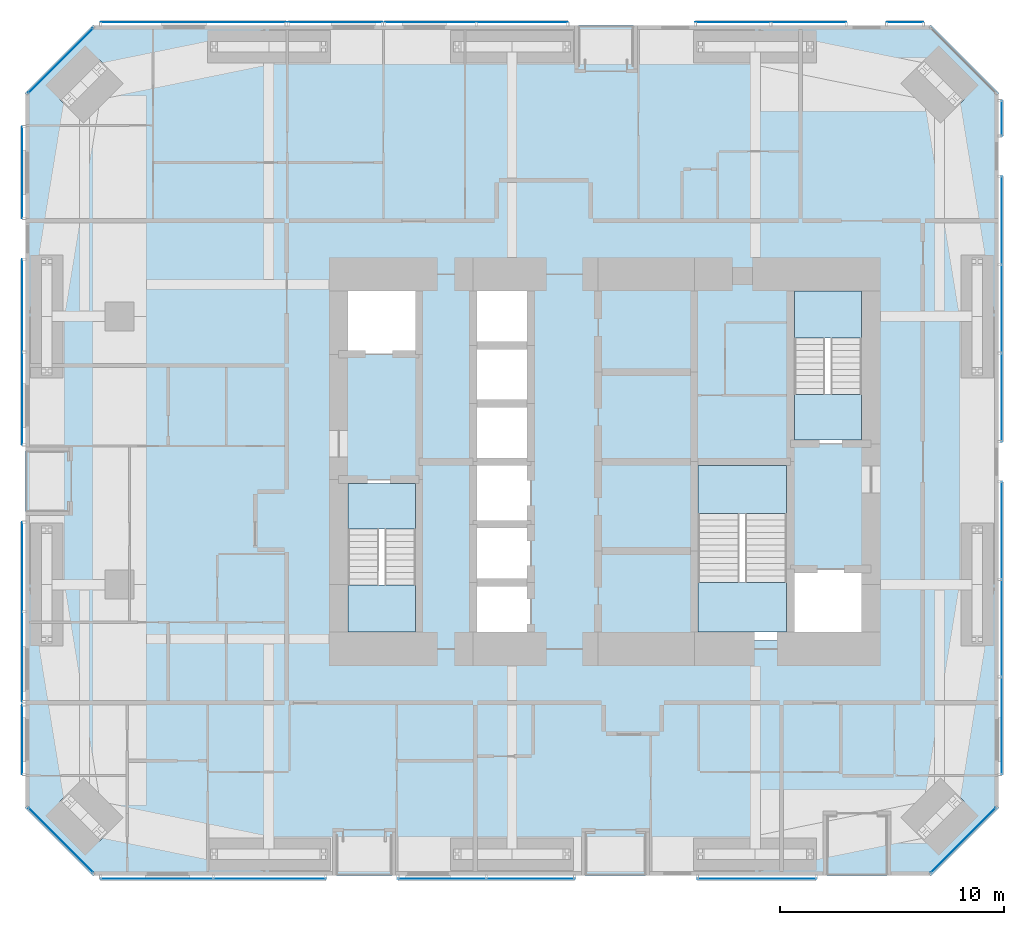
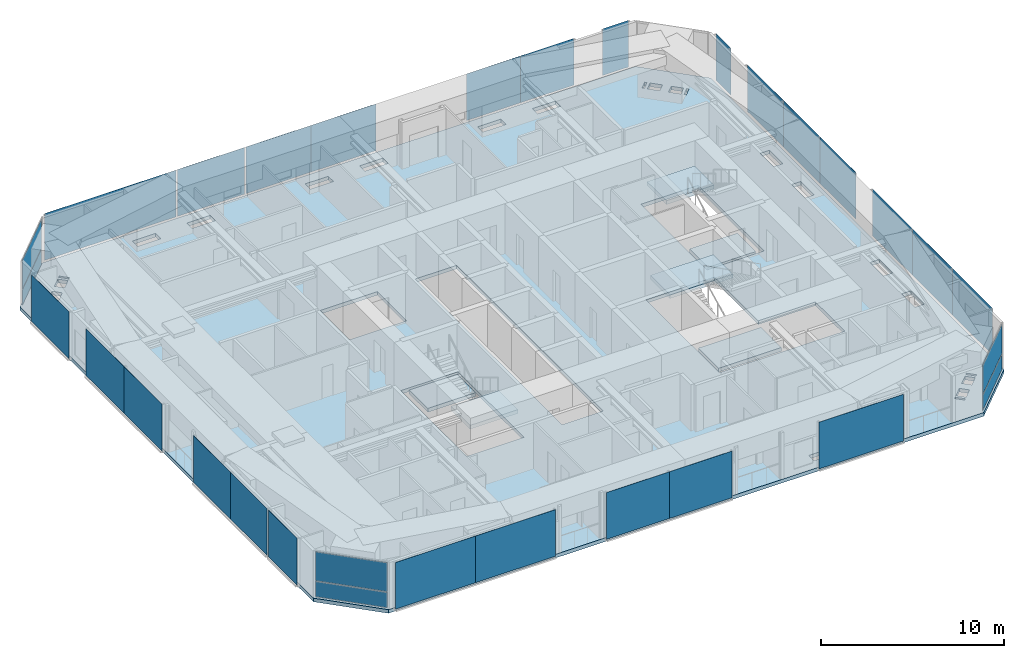
# One storey, part 15 of 23: 31 plates, 7 slabs, 21 elements without a shape of their own.
"""IFC4 building model written with IfcOpenShell, lengths in metres."""

from ifc_helpers import new_model, si_unit, direction, frame, origin, origin_2d, place, context, subcontext, project, spatial, polyline, rectangle, outline, extrude, material, layer, layer_set, type_object, element, aggregate, save


model = new_model("IFC4")

# Units and contexts
model_context = context("Model", 3, precision=1e-05, world=origin(), true_north=direction((0.0, 1.0)))
body_context = subcontext(model_context, "Body", "Model", "MODEL_VIEW")
ifc_project = project(units=[si_unit("LENGTHUNIT", "METRE"), si_unit("AREAUNIT", "SQUARE_METRE"), si_unit("VOLUMEUNIT", "CUBIC_METRE"), si_unit("PLANEANGLEUNIT", "RADIAN"), si_unit("MASSUNIT", "GRAM", prefix="KILO")], contexts=[model_context])

# Site, building, storey
site_placement = place(None, origin())
site = spatial("IfcSite", under=ifc_project, at=site_placement, CompositionType="ELEMENT")
building_placement = place(site_placement, origin())
building = spatial("IfcBuilding", under=site, at=building_placement, Name="Jalousie Tower", CompositionType="ELEMENT")
storey_placement = place(building_placement, frame((0.0, 0.0, 111.550048828125)))
storey = spatial("IfcBuildingStorey", under=building, at=storey_placement, Name="L30", CompositionType="ELEMENT", Elevation=111.550048828125)

# Curtain wall, plates
ifc_material_1 = material(Name="Aluminium curtain wall", Category="aluminium")
curtain_wall_type_1 = type_object("IfcCurtainWallType", Name="CORNER WINDOW WALL", PredefinedType="USERDEFINED", material=ifc_material_1)
curtain_wall_1_placement = place(storey_placement, origin())
curtain_wall_1 = element("IfcCurtainWall", 1, at=curtain_wall_1_placement, inside=storey, type_object=curtain_wall_type_1, Name="Corner Window Wall L30 2", ObjectType="CORNER WINDOW WALL", PredefinedType="USERDEFINED")
ifc_material_2 = material(Name="Laminated impact-rated spandrel glass", Category="glass")
ifc_layer_1 = layer(ifc_material_2, 0.028076171875)
ifc_layer_set_1 = layer_set([ifc_layer_1], Name="Laminated impact-rated spandrel glass")
plate_type_1 = type_object("IfcPlateType", Name="CORNER WINDOW WALL PANEL", PredefinedType="CURTAIN_PANEL", material=ifc_layer_set_1)
plate_1_placement = place(storey_placement, frame((47.9306640625, 1.5693359375, 0.06005859375), z_axis=(0.0, 0.0, 1.0), x_axis=(0.707106781187, 0.707106781187, 0.0)))
plate_1 = element("IfcPlate", 2, at=plate_1_placement, type_object=plate_type_1, Name="CW-C panel 1.1", PredefinedType="CURTAIN_PANEL", context=body_context, shape_type="SweptSolid", body=[
    extrude(rectangle(XDim=4.071533203125, YDim=0.028076171875, at=origin_2d()), origin(), (0.0, 0.0, 1.0), 1.010009765625),
])
plate_2_placement = place(storey_placement, frame((47.9306640625, 1.5693359375, 1.1298828125), z_axis=(0.0, 0.0, 1.0), x_axis=(0.707106781187, 0.707106781187, 0.0)))
plate_2 = element("IfcPlate", 3, at=plate_2_placement, type_object=plate_type_1, Name="CW-C panel 1.2", PredefinedType="CURTAIN_PANEL", context=body_context, shape_type="SweptSolid", body=[
    extrude(rectangle(XDim=4.071533203125, YDim=0.028076171875, at=origin_2d()), origin(), (0.0, 0.0, 1.0), 1.919921875),
])
aggregate(curtain_wall_1, [plate_1, plate_2])

curtain_wall_2_placement = place(storey_placement, origin())
curtain_wall_2 = element("IfcCurtainWall", 4, at=curtain_wall_2_placement, inside=storey, type_object=curtain_wall_type_1, Name="Corner Window Wall L30 6", ObjectType="CORNER WINDOW WALL", PredefinedType="USERDEFINED")
plate_3_placement = place(storey_placement, frame((7.5693359375, 36.4306640625, 0.06005859375), z_axis=(0.0, 0.0, 1.0), x_axis=(-0.707106781187, -0.707106781187, 0.0)))
plate_3 = element("IfcPlate", 5, at=plate_3_placement, type_object=plate_type_1, Name="CW-C panel 1.1", PredefinedType="CURTAIN_PANEL", context=body_context, shape_type="SweptSolid", body=[
    extrude(rectangle(XDim=4.071533203125, YDim=0.028076171875, at=origin_2d()), origin(), (0.0, 0.0, 1.0), 1.010009765625),
])
plate_4_placement = place(storey_placement, frame((7.5693359375, 36.4306640625, 1.1298828125), z_axis=(0.0, 0.0, 1.0), x_axis=(-0.707106781187, -0.707106781187, 0.0)))
plate_4 = element("IfcPlate", 6, at=plate_4_placement, type_object=plate_type_1, Name="CW-C panel 1.2", PredefinedType="CURTAIN_PANEL", context=body_context, shape_type="SweptSolid", body=[
    extrude(rectangle(XDim=4.071533203125, YDim=0.028076171875, at=origin_2d()), origin(), (0.0, 0.0, 1.0), 1.919921875),
])
aggregate(curtain_wall_2, [plate_3, plate_4])

curtain_wall_3_placement = place(storey_placement, origin())
curtain_wall_3 = element("IfcCurtainWall", 7, at=curtain_wall_3_placement, inside=storey, type_object=curtain_wall_type_1, Name="Corner Window Wall L30 8", ObjectType="CORNER WINDOW WALL", PredefinedType="USERDEFINED")
plate_5_placement = place(storey_placement, frame((7.5693359375, 1.5693359375, 0.06005859375), z_axis=(0.0, 0.0, 1.0), x_axis=(0.707106781187, -0.707106781187, 0.0)))
plate_5 = element("IfcPlate", 8, at=plate_5_placement, type_object=plate_type_1, Name="CW-C panel 1.1", PredefinedType="CURTAIN_PANEL", context=body_context, shape_type="SweptSolid", body=[
    extrude(rectangle(XDim=4.071533203125, YDim=0.028076171875, at=origin_2d()), origin(), (0.0, 0.0, 1.0), 1.010009765625),
])
plate_6_placement = place(storey_placement, frame((7.5693359375, 1.5693359375, 1.1298828125), z_axis=(0.0, 0.0, 1.0), x_axis=(0.707106781187, -0.707106781187, 0.0)))
plate_6 = element("IfcPlate", 9, at=plate_6_placement, type_object=plate_type_1, Name="CW-C panel 1.2", PredefinedType="CURTAIN_PANEL", context=body_context, shape_type="SweptSolid", body=[
    extrude(rectangle(XDim=4.071533203125, YDim=0.028076171875, at=origin_2d()), origin(), (0.0, 0.0, 1.0), 1.919921875),
])
aggregate(curtain_wall_3, [plate_5, plate_6])

# Slab
ifc_material_3 = material(Name="Concrete f'c 40 MPa", Category="concrete")
ifc_layer_2 = layer(ifc_material_3, 0.239990234375)
ifc_layer_set_2 = layer_set([ifc_layer_2], Name="Concrete f'c 40 MPa")
slab_type_1 = type_object("IfcSlabType", Name="FLOOR SLAB 240", PredefinedType="FLOOR", material=ifc_layer_set_2)
slab_1_placement = place(storey_placement, frame((0.0, 0.0, -0.239990234375)))
element("IfcSlab", 10, at=slab_1_placement, inside=storey, type_object=slab_type_1, Name="L30 floor slab", PredefinedType="FLOOR", context=body_context, shape_type="SweptSolid", body=[
    extrude(outline(polyline([(9.0, 0.0), (46.5, 0.0), (49.5, 3.0), (49.5, 35.0), (46.5, 38.0), (9.0, 38.0), (6.0, 35.0), (6.0, 3.0), (9.0, 0.0)]), holes=[polyline([(14.425048828125, 1.236083984375), (14.484619140625, 1.236083984375), (15.888916015625, 1.236083984375), (15.888916015625, 0.663818359375), (14.484619140625, 0.663818359375), (14.425048828125, 0.663818359375), (14.425048828125, 1.236083984375)]), polyline([(17.861083984375, 1.236083984375), (19.265380859375, 1.236083984375), (19.324951171875, 1.236083984375), (19.324951171875, 0.663818359375), (19.265380859375, 0.663818359375), (17.861083984375, 0.663818359375), (17.861083984375, 1.236083984375)]), polyline([(9.220947265625, 1.636962890625), (9.625732421875, 2.041748046875), (9.717529296875, 1.949951171875), (9.31298828125, 1.545166015625), (9.220947265625, 1.636962890625)]), polyline([(9.505615234375, 2.162109375), (9.1005859375, 1.75732421875), (8.604736328125, 2.25341796875), (9.009521484375, 2.658203125), (9.505615234375, 2.162109375)]), polyline([(7.75732421875, 3.1005859375), (8.162109375, 3.505615234375), (8.658203125, 3.009521484375), (8.25341796875, 2.604736328125), (7.75732421875, 3.1005859375)]), polyline([(8.041748046875, 3.625732421875), (7.636962890625, 3.220947265625), (7.545166015625, 3.31298828125), (7.949951171875, 3.717529296875), (8.041748046875, 3.625732421875)]), polyline([(7.236083984375, 10.550048828125), (6.663818359375, 10.550048828125), (6.663818359375, 10.609619140625), (6.663818359375, 12.013916015625), (7.236083984375, 12.013916015625), (7.236083984375, 10.609619140625), (7.236083984375, 10.550048828125)]), polyline([(7.236083984375, 15.390380859375), (7.236083984375, 13.986083984375), (6.663818359375, 13.986083984375), (6.663818359375, 15.390380859375), (6.663818359375, 15.449951171875), (7.236083984375, 15.449951171875), (7.236083984375, 15.390380859375)]), polyline([(6.663818359375, 24.013916015625), (7.236083984375, 24.013916015625), (7.236083984375, 22.609619140625), (7.236083984375, 22.550048828125), (6.663818359375, 22.550048828125), (6.663818359375, 22.609619140625), (6.663818359375, 24.013916015625)]), polyline([(7.236083984375, 25.986083984375), (6.663818359375, 25.986083984375), (6.663818359375, 27.390380859375), (6.663818359375, 27.449951171875), (7.236083984375, 27.449951171875), (7.236083984375, 27.390380859375), (7.236083984375, 25.986083984375)]), polyline([(7.636962890625, 34.779052734375), (8.041748046875, 34.374267578125), (7.949951171875, 34.282470703125), (7.545166015625, 34.68701171875), (7.636962890625, 34.779052734375)]), polyline([(8.658203125, 34.990478515625), (8.162109375, 34.494384765625), (7.75732421875, 34.8994140625), (8.25341796875, 35.395263671875), (8.658203125, 34.990478515625)]), polyline([(9.1005859375, 36.24267578125), (9.505615234375, 35.837890625), (9.009521484375, 35.341796875), (8.604736328125, 35.74658203125), (9.1005859375, 36.24267578125)]), polyline([(9.625732421875, 35.958251953125), (9.220947265625, 36.363037109375), (9.31298828125, 36.454833984375), (9.717529296875, 36.050048828125), (9.625732421875, 35.958251953125)]), polyline([(14.425048828125, 36.763916015625), (14.425048828125, 37.336181640625), (14.484619140625, 37.336181640625), (15.888916015625, 37.336181640625), (15.888916015625, 36.763916015625), (14.484619140625, 36.763916015625), (14.425048828125, 36.763916015625)]), polyline([(19.324951171875, 37.336181640625), (19.324951171875, 36.763916015625), (19.265380859375, 36.763916015625), (17.861083984375, 36.763916015625), (17.861083984375, 37.336181640625), (19.265380859375, 37.336181640625), (19.324951171875, 37.336181640625)]), polyline([(26.763916015625, 1.236083984375), (26.763916015625, 0.663818359375), (25.359619140625, 0.663818359375), (25.300048828125, 0.663818359375), (25.300048828125, 1.236083984375), (25.359619140625, 1.236083984375), (26.763916015625, 1.236083984375)]), polyline([(28.736083984375, 0.663818359375), (28.736083984375, 1.236083984375), (30.140380859375, 1.236083984375), (30.199951171875, 1.236083984375), (30.199951171875, 0.663818359375), (30.140380859375, 0.663818359375), (28.736083984375, 0.663818359375)]), polyline([(36.234619140625, 0.663818359375), (36.175048828125, 0.663818359375), (36.175048828125, 1.236083984375), (36.234619140625, 1.236083984375), (37.638916015625, 1.236083984375), (37.638916015625, 0.663818359375), (36.234619140625, 0.663818359375)]), polyline([(41.015380859375, 1.236083984375), (41.074951171875, 1.236083984375), (41.074951171875, 0.663818359375), (41.015380859375, 0.663818359375), (39.611083984375, 0.663818359375), (39.611083984375, 1.236083984375), (41.015380859375, 1.236083984375)]), polyline([(28.60009765625, 26.5), (28.60009765625, 10.5), (26.0, 10.5), (26.0, 26.5), (28.60009765625, 26.5)]), polyline([(20.0, 10.5), (23.60009765625, 10.5), (23.60009765625, 17.699951171875), (20.0, 17.699951171875), (20.0, 10.5)]), polyline([(35.89990234375, 18.5), (40.199951171875, 18.5), (40.199951171875, 13.699951171875), (43.800048828125, 13.699951171875), (43.800048828125, 10.5), (35.89990234375, 10.5), (35.89990234375, 18.5)]), polyline([(20.0, 23.300048828125), (23.60009765625, 23.300048828125), (23.60009765625, 26.5), (20.0, 26.5), (20.0, 23.300048828125)]), polyline([(26.763916015625, 36.763916015625), (25.359619140625, 36.763916015625), (25.300048828125, 36.763916015625), (25.300048828125, 37.336181640625), (25.359619140625, 37.336181640625), (26.763916015625, 37.336181640625), (26.763916015625, 36.763916015625)]), polyline([(28.736083984375, 37.336181640625), (30.140380859375, 37.336181640625), (30.199951171875, 37.336181640625), (30.199951171875, 36.763916015625), (30.140380859375, 36.763916015625), (28.736083984375, 36.763916015625), (28.736083984375, 37.336181640625)]), polyline([(37.638916015625, 37.336181640625), (37.638916015625, 36.763916015625), (36.234619140625, 36.763916015625), (36.175048828125, 36.763916015625), (36.175048828125, 37.336181640625), (36.234619140625, 37.336181640625), (37.638916015625, 37.336181640625)]), polyline([(45.874267578125, 2.041748046875), (46.279052734375, 1.636962890625), (46.18701171875, 1.545166015625), (45.782470703125, 1.949951171875), (45.874267578125, 2.041748046875)]), polyline([(46.3994140625, 1.75732421875), (45.994384765625, 2.162109375), (46.490478515625, 2.658203125), (46.895263671875, 2.25341796875), (46.3994140625, 1.75732421875)]), polyline([(47.337890625, 3.505615234375), (47.74267578125, 3.1005859375), (47.24658203125, 2.604736328125), (46.841796875, 3.009521484375), (47.337890625, 3.505615234375)]), polyline([(47.954833984375, 3.31298828125), (47.863037109375, 3.220947265625), (47.458251953125, 3.625732421875), (47.550048828125, 3.717529296875), (47.954833984375, 3.31298828125)]), polyline([(48.836181640625, 10.550048828125), (48.263916015625, 10.550048828125), (48.263916015625, 10.609619140625), (48.263916015625, 12.013916015625), (48.836181640625, 12.013916015625), (48.836181640625, 10.609619140625), (48.836181640625, 10.550048828125)]), polyline([(48.836181640625, 13.986083984375), (48.263916015625, 13.986083984375), (48.263916015625, 15.390380859375), (48.263916015625, 15.449951171875), (48.836181640625, 15.449951171875), (48.836181640625, 15.390380859375), (48.836181640625, 13.986083984375)]), polyline([(40.199951171875, 19.300048828125), (43.800048828125, 19.300048828125), (43.800048828125, 26.5), (40.199951171875, 26.5), (40.199951171875, 19.300048828125)]), polyline([(48.836181640625, 22.550048828125), (48.263916015625, 22.550048828125), (48.263916015625, 22.609619140625), (48.263916015625, 24.013916015625), (48.836181640625, 24.013916015625), (48.836181640625, 22.609619140625), (48.836181640625, 22.550048828125)]), polyline([(48.836181640625, 27.390380859375), (48.836181640625, 25.986083984375), (48.263916015625, 25.986083984375), (48.263916015625, 27.390380859375), (48.263916015625, 27.449951171875), (48.836181640625, 27.449951171875), (48.836181640625, 27.390380859375)]), polyline([(47.458251953125, 34.374267578125), (47.863037109375, 34.779052734375), (47.954833984375, 34.68701171875), (47.550048828125, 34.282470703125), (47.458251953125, 34.374267578125)]), polyline([(47.74267578125, 34.8994140625), (47.337890625, 34.494384765625), (46.841796875, 34.990478515625), (47.24658203125, 35.395263671875), (47.74267578125, 34.8994140625)]), polyline([(45.994384765625, 35.837890625), (46.3994140625, 36.24267578125), (46.895263671875, 35.74658203125), (46.490478515625, 35.341796875), (45.994384765625, 35.837890625)]), polyline([(46.279052734375, 36.363037109375), (45.874267578125, 35.958251953125), (45.782470703125, 36.050048828125), (46.18701171875, 36.454833984375), (46.279052734375, 36.363037109375)]), polyline([(41.015380859375, 37.336181640625), (41.074951171875, 37.336181640625), (41.074951171875, 36.763916015625), (41.015380859375, 36.763916015625), (39.611083984375, 36.763916015625), (39.611083984375, 37.336181640625), (41.015380859375, 37.336181640625)])]), origin(), (0.0, 0.0, 1.0), 0.239990234375),
])

# Curtain wall, plates
ifc_material_4 = material(Name="Perforated aluminium sheet", Category="aluminium")
curtain_wall_type_2 = type_object("IfcCurtainWallType", Name="SOLAR SCREEN SS-1", PredefinedType="USERDEFINED", material=ifc_material_4)
curtain_wall_4_placement = place(storey_placement, origin())
curtain_wall_4 = element("IfcCurtainWall", 11, at=curtain_wall_4_placement, inside=storey, type_object=curtain_wall_type_2, Name="Solar screen L30", ObjectType="SOLAR SCREEN SS-1", PredefinedType="USERDEFINED")
ifc_material_5 = material(Name="Perforated aluminium sheet", Category="aluminium")
ifc_layer_3 = layer(ifc_material_5, 0.006103515625)
ifc_layer_set_3 = layer_set([ifc_layer_3], Name="Perforated aluminium sheet")
plate_type_2 = type_object("IfcPlateType", Name="SOLAR SCREEN SS-1 PANEL", PredefinedType="CURTAIN_PANEL", material=ifc_layer_set_3)
plate_7_placement = place(storey_placement, frame((11.86962890625, -0.150390625, 0.0), z_axis=(0.0, 0.0, 1.0), x_axis=(1.0, 0.0, 0.0)))
plate_7 = element("IfcPlate", 12, at=plate_7_placement, type_object=plate_type_2, Name="SS1 perforated panel 1", PredefinedType="CURTAIN_PANEL", context=body_context, shape_type="SweptSolid", body=[
    extrude(rectangle(XDim=5.036865234375, YDim=0.006103515625, at=origin_2d()), origin(), (0.0, 0.0, 1.0), 3.110107421875),
])
plate_8_placement = place(storey_placement, frame((16.906494140625, -0.150390625, 0.0), z_axis=(0.0, 0.0, 1.0), x_axis=(1.0, 0.0, 0.0)))
plate_8 = element("IfcPlate", 13, at=plate_8_placement, type_object=plate_type_2, Name="SS1 perforated panel 2", PredefinedType="CURTAIN_PANEL", context=body_context, shape_type="SweptSolid", body=[
    extrude(rectangle(XDim=5.036865234375, YDim=0.006103515625, at=origin_2d()), origin(), (0.0, 0.0, 1.0), 3.110107421875),
])
aggregate(curtain_wall_4, [plate_7, plate_8])

curtain_wall_5_placement = place(storey_placement, origin())
curtain_wall_5 = element("IfcCurtainWall", 14, at=curtain_wall_5_placement, inside=storey, type_object=curtain_wall_type_2, Name="Solar screen L30", ObjectType="SOLAR SCREEN SS-1", PredefinedType="USERDEFINED")
plate_9_placement = place(storey_placement, frame((24.625, -0.150390625, 0.0), z_axis=(0.0, 0.0, 1.0), x_axis=(1.0, 0.0, 0.0)))
plate_9 = element("IfcPlate", 15, at=plate_9_placement, type_object=plate_type_2, Name="SS1 perforated panel 1", PredefinedType="CURTAIN_PANEL", context=body_context, shape_type="SweptSolid", body=[
    extrude(rectangle(XDim=3.949951171875, YDim=0.006103515625, at=origin_2d()), origin(), (0.0, 0.0, 1.0), 3.110107421875),
])
plate_10_placement = place(storey_placement, frame((28.574951171875, -0.150390625, 0.0), z_axis=(0.0, 0.0, 1.0), x_axis=(1.0, 0.0, 0.0)))
plate_10 = element("IfcPlate", 16, at=plate_10_placement, type_object=plate_type_2, Name="SS1 perforated panel 2", PredefinedType="CURTAIN_PANEL", context=body_context, shape_type="SweptSolid", body=[
    extrude(rectangle(XDim=3.949951171875, YDim=0.006103515625, at=origin_2d()), origin(), (0.0, 0.0, 1.0), 3.110107421875),
])
aggregate(curtain_wall_5, [plate_9, plate_10])

# Curtain wall, plate
curtain_wall_6_placement = place(storey_placement, origin())
curtain_wall_6 = element("IfcCurtainWall", 17, at=curtain_wall_6_placement, inside=storey, type_object=curtain_wall_type_2, Name="Solar screen L30", ObjectType="SOLAR SCREEN SS-1", PredefinedType="USERDEFINED")
plate_11_placement = place(storey_placement, frame((38.695068359375, -0.150390625, 0.0), z_axis=(0.0, 0.0, 1.0), x_axis=(1.0, 0.0, 0.0)))
plate_11 = element("IfcPlate", 18, at=plate_11_placement, type_object=plate_type_2, Name="SS1 perforated panel 1", PredefinedType="CURTAIN_PANEL", context=body_context, shape_type="SweptSolid", body=[
    extrude(rectangle(XDim=5.31005859375, YDim=0.006103515625, at=origin_2d()), origin(), (0.0, 0.0, 1.0), 3.110107421875),
])
aggregate(curtain_wall_6, [plate_11])

# Curtain wall, plates
curtain_wall_7_placement = place(storey_placement, origin())
curtain_wall_7 = element("IfcCurtainWall", 19, at=curtain_wall_7_placement, inside=storey, type_object=curtain_wall_type_2, Name="Solar screen L30", ObjectType="SOLAR SCREEN SS-1", PredefinedType="USERDEFINED")
plate_12_placement = place(storey_placement, frame((49.650390625, 6.69482421875, 0.0), z_axis=(0.0, 0.0, 1.0), x_axis=(0.0, 1.0, 0.0)))
plate_12 = element("IfcPlate", 20, at=plate_12_placement, type_object=plate_type_2, Name="SS1 perforated panel 1", PredefinedType="CURTAIN_PANEL", context=body_context, shape_type="SweptSolid", body=[
    extrude(rectangle(XDim=4.362060546875, YDim=0.006103515625, at=origin_2d()), origin(), (0.0, 0.0, 1.0), 3.110107421875),
])
plate_13_placement = place(storey_placement, frame((49.650390625, 11.056884765625, 0.0), z_axis=(0.0, 0.0, 1.0), x_axis=(0.0, 1.0, 0.0)))
plate_13 = element("IfcPlate", 21, at=plate_13_placement, type_object=plate_type_2, Name="SS1 perforated panel 2", PredefinedType="CURTAIN_PANEL", context=body_context, shape_type="SweptSolid", body=[
    extrude(rectangle(XDim=4.362060546875, YDim=0.006103515625, at=origin_2d()), origin(), (0.0, 0.0, 1.0), 3.110107421875),
])
plate_14_placement = place(storey_placement, frame((49.650390625, 15.4189453125, 0.0), z_axis=(0.0, 0.0, 1.0), x_axis=(0.0, 1.0, 0.0)))
plate_14 = element("IfcPlate", 22, at=plate_14_placement, type_object=plate_type_2, Name="SS1 perforated panel 3", PredefinedType="CURTAIN_PANEL", context=body_context, shape_type="SweptSolid", body=[
    extrude(rectangle(XDim=4.362060546875, YDim=0.006103515625, at=origin_2d()), origin(), (0.0, 0.0, 1.0), 3.110107421875),
])
aggregate(curtain_wall_7, [plate_12, plate_13, plate_14])

curtain_wall_8_placement = place(storey_placement, origin())
curtain_wall_8 = element("IfcCurtainWall", 23, at=curtain_wall_8_placement, inside=storey, type_object=curtain_wall_type_2, Name="Solar screen L30", ObjectType="SOLAR SCREEN SS-1", PredefinedType="USERDEFINED")
plate_15_placement = place(storey_placement, frame((49.650390625, 21.376953125, 0.0), z_axis=(0.0, 0.0, 1.0), x_axis=(0.0, 1.0, 0.0)))
plate_15 = element("IfcPlate", 24, at=plate_15_placement, type_object=plate_type_2, Name="SS1 perforated panel 1", PredefinedType="CURTAIN_PANEL", context=body_context, shape_type="SweptSolid", body=[
    extrude(rectangle(XDim=3.9541015625, YDim=0.006103515625, at=origin_2d()), origin(), (0.0, 0.0, 1.0), 3.110107421875),
])
plate_16_placement = place(storey_placement, frame((49.650390625, 25.3310546875, 0.0), z_axis=(0.0, 0.0, 1.0), x_axis=(0.0, 1.0, 0.0)))
plate_16 = element("IfcPlate", 25, at=plate_16_placement, type_object=plate_type_2, Name="SS1 perforated panel 2", PredefinedType="CURTAIN_PANEL", context=body_context, shape_type="SweptSolid", body=[
    extrude(rectangle(XDim=3.9541015625, YDim=0.006103515625, at=origin_2d()), origin(), (0.0, 0.0, 1.0), 3.110107421875),
])
plate_17_placement = place(storey_placement, frame((49.650390625, 29.284912109375, 0.0), z_axis=(0.0, 0.0, 1.0), x_axis=(0.0, 1.0, 0.0)))
plate_17 = element("IfcPlate", 26, at=plate_17_placement, type_object=plate_type_2, Name="SS1 perforated panel 3", PredefinedType="CURTAIN_PANEL", context=body_context, shape_type="SweptSolid", body=[
    extrude(rectangle(XDim=3.9541015625, YDim=0.006103515625, at=origin_2d()), origin(), (0.0, 0.0, 1.0), 3.110107421875),
])
aggregate(curtain_wall_8, [plate_15, plate_16, plate_17])

# Curtain wall, plate
curtain_wall_9_placement = place(storey_placement, origin())
curtain_wall_9 = element("IfcCurtainWall", 27, at=curtain_wall_9_placement, inside=storey, type_object=curtain_wall_type_2, Name="Solar screen L30", ObjectType="SOLAR SCREEN SS-1", PredefinedType="USERDEFINED")
plate_18_placement = place(storey_placement, frame((49.650390625, 33.855224609375, 0.0), z_axis=(0.0, 0.0, 1.0), x_axis=(0.0, 1.0, 0.0)))
plate_18 = element("IfcPlate", 28, at=plate_18_placement, type_object=plate_type_2, Name="SS1 perforated panel 1", PredefinedType="CURTAIN_PANEL", context=body_context, shape_type="SweptSolid", body=[
    extrude(rectangle(XDim=1.5869140625, YDim=0.006103515625, at=origin_2d()), origin(), (0.0, 0.0, 1.0), 3.110107421875),
])
aggregate(curtain_wall_9, [plate_18])

curtain_wall_10_placement = place(storey_placement, origin())
curtain_wall_10 = element("IfcCurtainWall", 29, at=curtain_wall_10_placement, inside=storey, type_object=curtain_wall_type_2, Name="Solar screen L30", ObjectType="SOLAR SCREEN SS-1", PredefinedType="USERDEFINED")
plate_19_placement = place(storey_placement, frame((45.323974609375, 38.150390625, 0.0), z_axis=(0.0, 0.0, 1.0), x_axis=(-1.0, 0.0, 0.0)))
plate_19 = element("IfcPlate", 30, at=plate_19_placement, type_object=plate_type_2, Name="SS1 perforated panel 1", PredefinedType="CURTAIN_PANEL", context=body_context, shape_type="SweptSolid", body=[
    extrude(rectangle(XDim=1.6494140625, YDim=0.006103515625, at=origin_2d()), origin(), (0.0, 0.0, 1.0), 3.110107421875),
])
aggregate(curtain_wall_10, [plate_19])

# Curtain wall, plates
curtain_wall_11_placement = place(storey_placement, origin())
curtain_wall_11 = element("IfcCurtainWall", 31, at=curtain_wall_11_placement, inside=storey, type_object=curtain_wall_type_2, Name="Solar screen L30", ObjectType="SOLAR SCREEN SS-1", PredefinedType="USERDEFINED")
plate_20_placement = place(storey_placement, frame((41.01220703125, 38.150390625, 0.0), z_axis=(0.0, 0.0, 1.0), x_axis=(-1.0, 0.0, 0.0)))
plate_20 = element("IfcPlate", 32, at=plate_20_placement, type_object=plate_type_2, Name="SS1 perforated panel 1", PredefinedType="CURTAIN_PANEL", context=body_context, shape_type="SweptSolid", body=[
    extrude(rectangle(XDim=3.37451171875, YDim=0.006103515625, at=origin_2d()), origin(), (0.0, 0.0, 1.0), 3.110107421875),
])
plate_21_placement = place(storey_placement, frame((37.6376953125, 38.150390625, 0.0), z_axis=(0.0, 0.0, 1.0), x_axis=(-1.0, 0.0, 0.0)))
plate_21 = element("IfcPlate", 33, at=plate_21_placement, type_object=plate_type_2, Name="SS1 perforated panel 2", PredefinedType="CURTAIN_PANEL", context=body_context, shape_type="SweptSolid", body=[
    extrude(rectangle(XDim=3.37451171875, YDim=0.006103515625, at=origin_2d()), origin(), (0.0, 0.0, 1.0), 3.110107421875),
])
aggregate(curtain_wall_11, [plate_20, plate_21])

curtain_wall_12_placement = place(storey_placement, origin())
curtain_wall_12 = element("IfcCurtainWall", 34, at=curtain_wall_12_placement, inside=storey, type_object=curtain_wall_type_2, Name="Solar screen L30", ObjectType="SOLAR SCREEN SS-1", PredefinedType="USERDEFINED")
plate_22_placement = place(storey_placement, frame((28.200439453125, 38.150390625, 0.0), z_axis=(0.0, 0.0, 1.0), x_axis=(-1.0, 0.0, 0.0)))
plate_22 = element("IfcPlate", 35, at=plate_22_placement, type_object=plate_type_2, Name="SS1 perforated panel 1", PredefinedType="CURTAIN_PANEL", context=body_context, shape_type="SweptSolid", body=[
    extrude(rectangle(XDim=4.100341796875, YDim=0.006103515625, at=origin_2d()), origin(), (0.0, 0.0, 1.0), 3.110107421875),
])
plate_23_placement = place(storey_placement, frame((24.10009765625, 38.150390625, 0.0), z_axis=(0.0, 0.0, 1.0), x_axis=(-1.0, 0.0, 0.0)))
plate_23 = element("IfcPlate", 36, at=plate_23_placement, type_object=plate_type_2, Name="SS1 perforated panel 2", PredefinedType="CURTAIN_PANEL", context=body_context, shape_type="SweptSolid", body=[
    extrude(rectangle(XDim=4.100341796875, YDim=0.006103515625, at=origin_2d()), origin(), (0.0, 0.0, 1.0), 3.110107421875),
])
aggregate(curtain_wall_12, [plate_22, plate_23])

# Curtain wall, plate
curtain_wall_13_placement = place(storey_placement, origin())
curtain_wall_13 = element("IfcCurtainWall", 37, at=curtain_wall_13_placement, inside=storey, type_object=curtain_wall_type_2, Name="Solar screen L30", ObjectType="SOLAR SCREEN SS-1", PredefinedType="USERDEFINED")
plate_24_placement = place(storey_placement, frame((19.85009765625, 38.150390625, 0.0), z_axis=(0.0, 0.0, 1.0), x_axis=(-1.0, 0.0, 0.0)))
plate_24 = element("IfcPlate", 38, at=plate_24_placement, type_object=plate_type_2, Name="SS1 perforated panel 1", PredefinedType="CURTAIN_PANEL", context=body_context, shape_type="SweptSolid", body=[
    extrude(rectangle(XDim=4.199951171875, YDim=0.006103515625, at=origin_2d()), origin(), (0.0, 0.0, 1.0), 3.110107421875),
])
aggregate(curtain_wall_13, [plate_24])

curtain_wall_14_placement = place(storey_placement, origin())
curtain_wall_14 = element("IfcCurtainWall", 39, at=curtain_wall_14_placement, inside=storey, type_object=curtain_wall_type_2, Name="Solar screen L30", ObjectType="SOLAR SCREEN SS-1", PredefinedType="USERDEFINED")
plate_25_placement = place(storey_placement, frame((13.500732421875, 38.150390625, 0.0), z_axis=(0.0, 0.0, 1.0), x_axis=(-1.0, 0.0, 0.0)))
plate_25 = element("IfcPlate", 40, at=plate_25_placement, type_object=plate_type_2, Name="SS1 perforated panel 1", PredefinedType="CURTAIN_PANEL", context=body_context, shape_type="SweptSolid", body=[
    extrude(rectangle(XDim=8.298583984375, YDim=0.006103515625, at=origin_2d()), origin(), (0.0, 0.0, 1.0), 3.110107421875),
])
aggregate(curtain_wall_14, [plate_25])

curtain_wall_15_placement = place(storey_placement, origin())
curtain_wall_15 = element("IfcCurtainWall", 41, at=curtain_wall_15_placement, inside=storey, type_object=curtain_wall_type_2, Name="Solar screen L30", ObjectType="SOLAR SCREEN SS-1", PredefinedType="USERDEFINED")
plate_26_placement = place(storey_placement, frame((5.849609375, 31.4306640625, 0.0), z_axis=(0.0, 0.0, 1.0), x_axis=(0.0, -1.0, 0.0)))
plate_26 = element("IfcPlate", 42, at=plate_26_placement, type_object=plate_type_2, Name="SS1 perforated panel 1", PredefinedType="CURTAIN_PANEL", context=body_context, shape_type="SweptSolid", body=[
    extrude(rectangle(XDim=4.111083984375, YDim=0.006103515625, at=origin_2d()), origin(), (0.0, 0.0, 1.0), 3.110107421875),
])
aggregate(curtain_wall_15, [plate_26])

# Curtain wall, plates
curtain_wall_16_placement = place(storey_placement, origin())
curtain_wall_16 = element("IfcCurtainWall", 43, at=curtain_wall_16_placement, inside=storey, type_object=curtain_wall_type_2, Name="Solar screen L30", ObjectType="SOLAR SCREEN SS-1", PredefinedType="USERDEFINED")
plate_27_placement = place(storey_placement, frame((5.849609375, 25.47509765625, 0.0), z_axis=(0.0, 0.0, 1.0), x_axis=(0.0, -1.0, 0.0)))
plate_27 = element("IfcPlate", 44, at=plate_27_placement, type_object=plate_type_2, Name="SS1 perforated panel 1", PredefinedType="CURTAIN_PANEL", context=body_context, shape_type="SweptSolid", body=[
    extrude(rectangle(XDim=4.14990234375, YDim=0.006103515625, at=origin_2d()), origin(), (0.0, 0.0, 1.0), 3.110107421875),
])
plate_28_placement = place(storey_placement, frame((5.849609375, 21.324951171875, 0.0), z_axis=(0.0, 0.0, 1.0), x_axis=(0.0, -1.0, 0.0)))
plate_28 = element("IfcPlate", 45, at=plate_28_placement, type_object=plate_type_2, Name="SS1 perforated panel 2", PredefinedType="CURTAIN_PANEL", context=body_context, shape_type="SweptSolid", body=[
    extrude(rectangle(XDim=4.14990234375, YDim=0.006103515625, at=origin_2d()), origin(), (0.0, 0.0, 1.0), 3.110107421875),
])
aggregate(curtain_wall_16, [plate_27, plate_28])

curtain_wall_17_placement = place(storey_placement, origin())
curtain_wall_17 = element("IfcCurtainWall", 46, at=curtain_wall_17_placement, inside=storey, type_object=curtain_wall_type_2, Name="Solar screen L30", ObjectType="SOLAR SCREEN SS-1", PredefinedType="USERDEFINED")
plate_29_placement = place(storey_placement, frame((5.849609375, 13.793701171875, 0.0), z_axis=(0.0, 0.0, 1.0), x_axis=(0.0, -1.0, 0.0)))
plate_29 = element("IfcPlate", 47, at=plate_29_placement, type_object=plate_type_2, Name="SS1 perforated panel 1", PredefinedType="CURTAIN_PANEL", context=body_context, shape_type="SweptSolid", body=[
    extrude(rectangle(XDim=4.012451171875, YDim=0.006103515625, at=origin_2d()), origin(), (0.0, 0.0, 1.0), 3.110107421875),
])
plate_30_placement = place(storey_placement, frame((5.849609375, 9.78125, 0.0), z_axis=(0.0, 0.0, 1.0), x_axis=(0.0, -1.0, 0.0)))
plate_30 = element("IfcPlate", 48, at=plate_30_placement, type_object=plate_type_2, Name="SS1 perforated panel 2", PredefinedType="CURTAIN_PANEL", context=body_context, shape_type="SweptSolid", body=[
    extrude(rectangle(XDim=4.012451171875, YDim=0.006103515625, at=origin_2d()), origin(), (0.0, 0.0, 1.0), 3.110107421875),
])
aggregate(curtain_wall_17, [plate_29, plate_30])

# Curtain wall, plate
curtain_wall_18_placement = place(storey_placement, origin())
curtain_wall_18 = element("IfcCurtainWall", 49, at=curtain_wall_18_placement, inside=storey, type_object=curtain_wall_type_2, Name="Solar screen L30", ObjectType="SOLAR SCREEN SS-1", PredefinedType="USERDEFINED")
plate_31_placement = place(storey_placement, frame((5.849609375, 6.0693359375, 0.0), z_axis=(0.0, 0.0, 1.0), x_axis=(0.0, -1.0, 0.0)))
plate_31 = element("IfcPlate", 50, at=plate_31_placement, type_object=plate_type_2, Name="SS1 perforated panel 1", PredefinedType="CURTAIN_PANEL", context=body_context, shape_type="SweptSolid", body=[
    extrude(rectangle(XDim=3.111083984375, YDim=0.006103515625, at=origin_2d()), origin(), (0.0, 0.0, 1.0), 3.110107421875),
])
aggregate(curtain_wall_18, [plate_31])

# Stair, slabs
ifc_material_6 = material(Name="Concrete f'c 40 MPa", Category="concrete")
stair_type = type_object("IfcStairType", Name="EXIT STAIR", PredefinedType="HALF_TURN_STAIR", material=ifc_material_6)
stair_1_placement = place(storey_placement, origin())
stair_1 = element("IfcStair", 51, at=stair_1_placement, inside=storey, type_object=stair_type, Name="Exit stair A L30", PredefinedType="HALF_TURN_STAIR")
ifc_material_7 = material(Name="Concrete f'c 40 MPa", Category="concrete")
ifc_layer_4 = layer(ifc_material_7, 0.25)
ifc_layer_set_4 = layer_set([ifc_layer_4], Name="Concrete f'c 40 MPa")
slab_type_2 = type_object("IfcSlabType", Name="STAIR LANDING 250", PredefinedType="LANDING", material=ifc_layer_set_4)
slab_2_placement = place(storey_placement, frame((0.0, 0.0, -0.25)))
slab_2 = element("IfcSlab", 52, at=slab_2_placement, type_object=slab_type_2, Name="ST-A landing 1", PredefinedType="LANDING", context=body_context, shape_type="SweptSolid", body=[
    extrude(outline(polyline([(20.425048828125, 15.49755859375), (23.425048828125, 15.49755859375), (23.425048828125, 17.52490234375), (20.425048828125, 17.52490234375), (20.425048828125, 15.49755859375)])), origin(), (0.0, 0.0, 1.0), 0.25),
])
slab_3_placement = place(storey_placement, frame((0.0, 0.0, 1.425048828125)))
slab_3 = element("IfcSlab", 53, at=slab_3_placement, type_object=slab_type_2, Name="ST-A landing 2", PredefinedType="LANDING", context=body_context, shape_type="SweptSolid", body=[
    extrude(outline(polyline([(20.425048828125, 10.875), (23.425048828125, 10.875), (23.425048828125, 12.9775390625), (20.425048828125, 12.9775390625), (20.425048828125, 10.875)])), origin(), (0.0, 0.0, 1.0), 0.25),
])
aggregate(stair_1, [slab_2, slab_3])

stair_2_placement = place(storey_placement, origin())
stair_2 = element("IfcStair", 54, at=stair_2_placement, inside=storey, type_object=stair_type, Name="Exit stair B L30", PredefinedType="HALF_TURN_STAIR")
slab_4_placement = place(storey_placement, frame((0.0, 0.0, -0.25)))
slab_4 = element("IfcSlab", 55, at=slab_4_placement, type_object=slab_type_2, Name="ST-B landing 1", PredefinedType="LANDING", context=body_context, shape_type="SweptSolid", body=[
    extrude(outline(polyline([(40.375, 19.47509765625), (43.375, 19.47509765625), (43.375, 21.50244140625), (40.375, 21.50244140625), (40.375, 19.47509765625)])), origin(), (0.0, 0.0, 1.0), 0.25),
])
slab_5_placement = place(storey_placement, frame((0.0, 0.0, 1.425048828125)))
slab_5 = element("IfcSlab", 56, at=slab_5_placement, type_object=slab_type_2, Name="ST-B landing 2", PredefinedType="LANDING", context=body_context, shape_type="SweptSolid", body=[
    extrude(outline(polyline([(40.375, 24.0224609375), (43.375, 24.0224609375), (43.375, 26.125), (40.375, 26.125), (40.375, 24.0224609375)])), origin(), (0.0, 0.0, 1.0), 0.25),
])
aggregate(stair_2, [slab_4, slab_5])

stair_3_placement = place(storey_placement, origin())
stair_3 = element("IfcStair", 57, at=stair_3_placement, inside=storey, type_object=stair_type, Name="Exit stair C L30", PredefinedType="HALF_TURN_STAIR")
slab_6_placement = place(storey_placement, frame((0.0, 0.0, -0.25)))
slab_6 = element("IfcSlab", 58, at=slab_6_placement, type_object=slab_type_2, Name="ST-C landing 1", PredefinedType="LANDING", context=body_context, shape_type="SweptSolid", body=[
    extrude(outline(polyline([(36.074951171875, 10.875), (40.02490234375, 10.875), (40.02490234375, 13.097412109375), (36.074951171875, 13.097412109375), (36.074951171875, 10.875)])), origin(), (0.0, 0.0, 1.0), 0.25),
])
slab_7_placement = place(storey_placement, frame((0.0, 0.0, 1.425048828125)))
slab_7 = element("IfcSlab", 59, at=slab_7_placement, type_object=slab_type_2, Name="ST-C landing 2", PredefinedType="LANDING", context=body_context, shape_type="SweptSolid", body=[
    extrude(outline(polyline([(36.074951171875, 16.177490234375), (40.02490234375, 16.177490234375), (40.02490234375, 18.324951171875), (36.074951171875, 18.324951171875), (36.074951171875, 16.177490234375)])), origin(), (0.0, 0.0, 1.0), 0.25),
])
aggregate(stair_3, [slab_6, slab_7])

save(model, "model.ifc")
